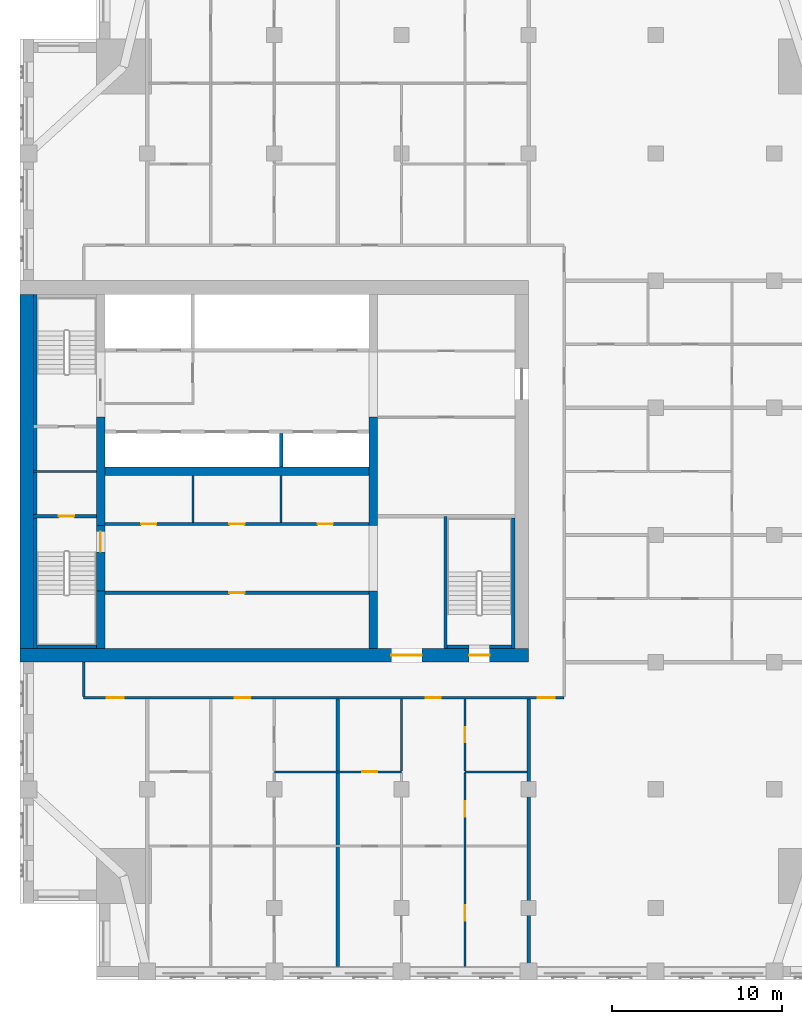
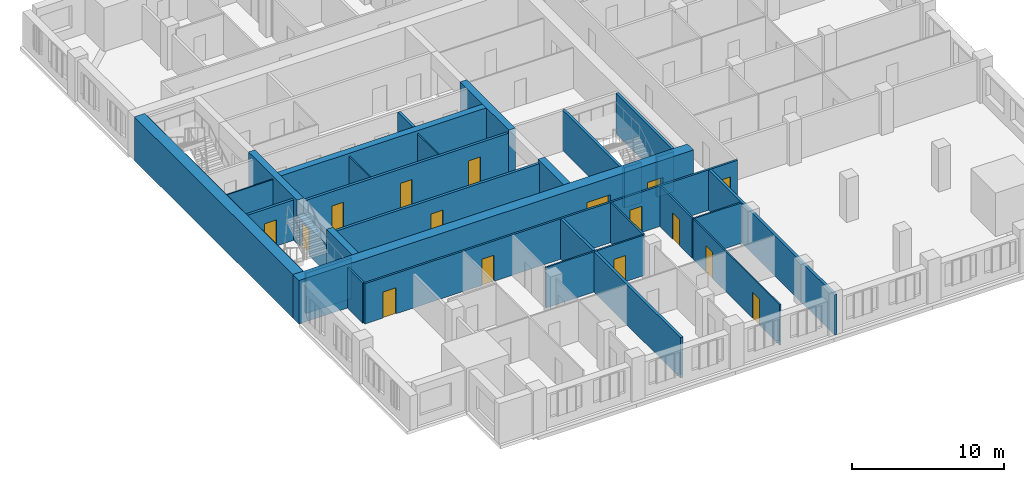
# One storey, part 7 of 14: 30 walls, 16 doors, 16 openings.
"""IFC4 building model written with IfcOpenShell, lengths in metres."""

from ifc_helpers import new_model, si_unit, direction, frame, frame_2d, origin, place, context, subcontext, project, spatial, rectangle, extrude, material, layer, layer_set, type_object, element, fill, save


model = new_model("IFC4")

# Units and contexts
model_context = context("Model", 3, precision=1e-05, world=origin(), true_north=direction((0.0, 1.0)))
body_context = subcontext(model_context, "Body", "Model", "MODEL_VIEW")
ifc_project = project(units=[si_unit("LENGTHUNIT", "METRE"), si_unit("AREAUNIT", "SQUARE_METRE"), si_unit("VOLUMEUNIT", "CUBIC_METRE"), si_unit("PLANEANGLEUNIT", "RADIAN"), si_unit("MASSUNIT", "GRAM", prefix="KILO")], contexts=[model_context])

# Site, building, storey
site_placement = place(None, origin())
site = spatial("IfcSite", under=ifc_project, at=site_placement, CompositionType="ELEMENT")
building_placement = place(site_placement, origin())
building = spatial("IfcBuilding", under=site, at=building_placement, Name="Tamorin Gate", CompositionType="ELEMENT")
storey_placement = place(building_placement, frame((0.0, 0.0, 196.699951171875)))
storey = spatial("IfcBuildingStorey", under=building, at=storey_placement, Name="L48", CompositionType="ELEMENT", Elevation=196.699951171875)

# Wall, openings, doors
ifc_material_1 = material(Name="Gypsum board partition")
ifc_layer_1 = layer(ifc_material_1, 0.14990234375)
ifc_layer_set_1 = layer_set([ifc_layer_1], Name="Corridor wall 150")
wall_type_1 = type_object("IfcWallType", Name="Corridor wall 150", PredefinedType="PARTITIONING", material=ifc_layer_set_1)
wall_1_placement = place(storey_placement, frame((33.75, 57.89990234375, 0.0), z_axis=(0.0, 0.0, 1.0), x_axis=(1.0, 0.0, 0.0)))
wall_1 = element("IfcWall", 1, at=wall_1_placement, inside=storey, type_object=wall_type_1, Name="Corridor wall 150", PredefinedType="PARTITIONING", context=body_context, shape_type="SweptSolid", body=[
    extrude(rectangle(XDim=28.35009765625, YDim=0.14990234375, at=frame_2d((14.175048828125, 0.0))), origin(), (0.0, 0.0, 1.0), 3.25),
])
opening_1_placement = place(wall_1_placement, frame((1.375, 0.0, 0.0)))
opening_1 = element("IfcOpeningElement", 2, at=opening_1_placement, cuts=wall_1, Name="Opening DR2001", PredefinedType="OPENING", context=body_context, shape_type="SweptSolid", body=[
    extrude(rectangle(XDim=1.0, YDim=2.10009765625, at=frame_2d((0.5, 1.050048828125))), frame((0.0, 0.0849609375, 0.0), z_axis=(0.0, -1.0, 0.0), x_axis=(1.0, 0.0, 0.0)), (0.0, 0.0, 1.0), 0.169921875),
])
opening_2_placement = place(wall_1_placement, frame((8.925048828125, 0.0, 0.0)))
opening_2 = element("IfcOpeningElement", 3, at=opening_2_placement, cuts=wall_1, Name="Opening DR2004", PredefinedType="OPENING", context=body_context, shape_type="SweptSolid", body=[
    extrude(rectangle(XDim=0.89990234375, YDim=2.10009765625, at=frame_2d((0.449951171875, 1.050048828125))), frame((0.0, 0.0849609375, 0.0), z_axis=(0.0, -1.0, 0.0), x_axis=(1.0, 0.0, 0.0)), (0.0, 0.0, 1.0), 0.169921875),
])
opening_3_placement = place(wall_1_placement, frame((20.175048828125, 0.0, 0.0)))
opening_3 = element("IfcOpeningElement", 4, at=opening_3_placement, cuts=wall_1, Name="Opening DR2012", PredefinedType="OPENING", context=body_context, shape_type="SweptSolid", body=[
    extrude(rectangle(XDim=0.89990234375, YDim=2.10009765625, at=frame_2d((0.449951171875, 1.050048828125))), frame((0.0, 0.0849609375, 0.0), z_axis=(0.0, -1.0, 0.0), x_axis=(1.0, 0.0, 0.0)), (0.0, 0.0, 1.0), 0.169921875),
])
opening_4_placement = place(wall_1_placement, frame((26.800048828125, 0.0, 0.0)))
opening_4 = element("IfcOpeningElement", 5, at=opening_4_placement, cuts=wall_1, Name="Opening DR2018", PredefinedType="OPENING", context=body_context, shape_type="SweptSolid", body=[
    extrude(rectangle(XDim=1.0, YDim=2.10009765625, at=frame_2d((0.5, 1.050048828125))), frame((0.0, 0.0849609375, 0.0), z_axis=(0.0, -1.0, 0.0), x_axis=(1.0, 0.0, 0.0)), (0.0, 0.0, 1.0), 0.169921875),
])
ifc_material_2 = material(Name="Timber door leaf", Category="wood")
door_type_1 = type_object("IfcDoorType", Name="Door 1000 x 2100 FD30S", OperationType="NOTDEFINED", PredefinedType="DOOR", material=ifc_material_2)
door_1_placement = place(opening_1_placement, origin())
door_1 = element("IfcDoor", 6, at=door_1_placement, inside=storey, type_object=door_type_1, Name="Door DR2001", OperationType="SINGLE_SWING_RIGHT", OverallHeight=2.10009765625, OverallWidth=1.0, PredefinedType="DOOR", context=body_context, shape_type="SweptSolid", body=[
    extrude(rectangle(XDim=1.0, YDim=2.10009765625, at=frame_2d((0.5, 1.050048828125))), frame((0.0, 0.02490234375, 0.0), z_axis=(0.0, -1.0, 0.0), x_axis=(1.0, 0.0, 0.0)), (0.0, 0.0, 1.0), 0.050048828125),
])
fill(opening_1, door_1)
door_2_placement = place(opening_4_placement, origin())
door_2 = element("IfcDoor", 7, at=door_2_placement, inside=storey, type_object=door_type_1, Name="Door DR2018", OperationType="SINGLE_SWING_RIGHT", OverallHeight=2.10009765625, OverallWidth=1.0, PredefinedType="DOOR", context=body_context, shape_type="SweptSolid", body=[
    extrude(rectangle(XDim=1.0, YDim=2.10009765625, at=frame_2d((0.5, 1.050048828125))), frame((0.0, 0.02490234375, 0.0), z_axis=(0.0, -1.0, 0.0), x_axis=(1.0, 0.0, 0.0)), (0.0, 0.0, 1.0), 0.050048828125),
])
fill(opening_4, door_2)
door_type_2 = type_object("IfcDoorType", Name="Door 900 x 2100 FD30S", OperationType="NOTDEFINED", PredefinedType="DOOR", material=ifc_material_2)
door_3_placement = place(opening_2_placement, origin())
door_3 = element("IfcDoor", 8, at=door_3_placement, inside=storey, type_object=door_type_2, Name="Door DR2004", OperationType="SINGLE_SWING_RIGHT", OverallHeight=2.10009765625, OverallWidth=0.89990234375, PredefinedType="DOOR", context=body_context, shape_type="SweptSolid", body=[
    extrude(rectangle(XDim=0.89990234375, YDim=2.10009765625, at=frame_2d((0.449951171875, 1.050048828125))), frame((0.0, 0.02490234375, 0.0), z_axis=(0.0, -1.0, 0.0), x_axis=(1.0, 0.0, 0.0)), (0.0, 0.0, 1.0), 0.050048828125),
])
fill(opening_2, door_3)
door_4_placement = place(opening_3_placement, origin())
door_4 = element("IfcDoor", 9, at=door_4_placement, inside=storey, type_object=door_type_2, Name="Door DR2012", OperationType="SINGLE_SWING_RIGHT", OverallHeight=2.10009765625, OverallWidth=0.89990234375, PredefinedType="DOOR", context=body_context, shape_type="SweptSolid", body=[
    extrude(rectangle(XDim=0.89990234375, YDim=2.10009765625, at=frame_2d((0.449951171875, 1.050048828125))), frame((0.0, 0.02490234375, 0.0), z_axis=(0.0, -1.0, 0.0), x_axis=(1.0, 0.0, 0.0)), (0.0, 0.0, 1.0), 0.050048828125),
])
fill(opening_3, door_4)

# Walls
wall_2_placement = place(storey_placement, frame((33.75, 57.97509765625, 0.0), z_axis=(0.0, 0.0, 1.0), x_axis=(0.0, 1.0, 0.0)))
element("IfcWall", 10, at=wall_2_placement, inside=storey, type_object=wall_type_1, Name="Corridor wall 150", PredefinedType="PARTITIONING", context=body_context, shape_type="SweptSolid", body=[
    extrude(rectangle(XDim=2.02490234375, YDim=0.14990234375, at=frame_2d((1.012451171875, 0.0))), origin(), (0.0, 0.0, 1.0), 3.25),
])
ifc_layer_2 = layer(ifc_material_1, 0.199951171875)
ifc_layer_set_2 = layer_set([ifc_layer_2], Name="Demising wall 200")
wall_type_2 = type_object("IfcWallType", Name="Demising wall 200", PredefinedType="PARTITIONING", material=ifc_layer_set_2)
wall_3_placement = place(storey_placement, frame((48.75, 42.06005859375, 0.0), z_axis=(0.0, 0.0, 1.0), x_axis=(0.0, 1.0, 0.0)))
element("IfcWall", 11, at=wall_3_placement, inside=storey, type_object=wall_type_2, Name="Demising wall 200", PredefinedType="PARTITIONING", context=body_context, shape_type="SweptSolid", body=[
    extrude(rectangle(XDim=15.764892578125, YDim=0.199951171875, at=frame_2d((7.88232421875, 0.0))), origin(), (0.0, 0.0, 1.0), 3.25),
])
wall_4_placement = place(storey_placement, frame((60.0, 41.25, 0.0), z_axis=(0.0, 0.0, 1.0), x_axis=(0.0, 1.0, 0.0)))
element("IfcWall", 12, at=wall_4_placement, inside=storey, type_object=wall_type_2, Name="Demising wall 200", PredefinedType="PARTITIONING", context=body_context, shape_type="SweptSolid", body=[
    extrude(rectangle(XDim=16.574951171875, YDim=0.199951171875, at=frame_2d((8.28759765625, 0.0))), origin(), (0.0, 0.0, 1.0), 3.25),
])
ifc_material_3 = material(Name="Concrete C32/40", Category="concrete")
ifc_layer_3 = layer(ifc_material_3, 0.199951171875)
ifc_layer_set_3 = layer_set([ifc_layer_3], Name="Lift shaft wall 200 EI 120")
wall_type_3 = type_object("IfcWallType", Name="Lift shaft wall 200 EI 120", PredefinedType="SOLIDWALL", material=ifc_layer_set_3)
wall_5_placement = place(storey_placement, frame((45.39990234375, 71.5, 0.0), z_axis=(0.0, 0.0, 1.0), x_axis=(0.0, 1.0, 0.0)))
element("IfcWall", 13, at=wall_5_placement, inside=storey, type_object=wall_type_3, Name="Lift shaft wall", PredefinedType="SOLIDWALL", context=body_context, shape_type="SweptSolid", body=[
    extrude(rectangle(XDim=2.0, YDim=0.199951171875, at=frame_2d((1.0, 0.0))), origin(), (0.0, 0.0, 1.0), 3.5),
])
ifc_material_4 = material(Name="Concrete C60/75", Category="concrete")
ifc_layer_4 = layer(ifc_material_4, 0.5)
ifc_layer_set_4 = layer_set([ifc_layer_4], Name="RC core internal wall 500 C60/75")
wall_type_4 = type_object("IfcWallType", Name="RC core internal wall 500 C60/75", PredefinedType="SHEAR", material=ifc_layer_set_4)
wall_6_placement = place(storey_placement, frame((35.0, 71.25, 0.0), z_axis=(0.0, 0.0, 1.0), x_axis=(1.0, 0.0, 0.0)))
element("IfcWall", 14, at=wall_6_placement, inside=storey, type_object=wall_type_4, Name="Core spine wall L48", PredefinedType="SHEAR", context=body_context, shape_type="SweptSolid", body=[
    extrude(rectangle(XDim=15.60009765625, YDim=0.5, at=frame_2d((7.800048828125, 0.0))), origin(), (0.0, 0.0, 1.0), 3.5),
])
wall_7_placement = place(storey_placement, frame((34.75, 60.800048828125, 0.0), z_axis=(0.0, 0.0, 1.0), x_axis=(0.0, 1.0, 0.0)))
element("IfcWall", 15, at=wall_7_placement, inside=storey, type_object=wall_type_4, Name="Core cross wall L48", PredefinedType="SHEAR", context=body_context, shape_type="SweptSolid", body=[
    extrude(rectangle(XDim=3.39990234375, YDim=0.5, at=frame_2d((1.699951171875, 0.0))), origin(), (0.0, 0.0, 1.0), 3.5),
])
wall_8_placement = place(storey_placement, frame((34.75, 68.050048828125, 0.0), z_axis=(0.0, 0.0, 1.0), x_axis=(0.0, 1.0, 0.0)))
element("IfcWall", 16, at=wall_8_placement, inside=storey, type_object=wall_type_4, Name="Core cross wall L48", PredefinedType="SHEAR", context=body_context, shape_type="SweptSolid", body=[
    extrude(rectangle(XDim=6.39990234375, YDim=0.5, at=frame_2d((3.199951171875, 0.0))), origin(), (0.0, 0.0, 1.0), 3.5),
])
wall_9_placement = place(storey_placement, frame((50.85009765625, 60.800048828125, 0.0), z_axis=(0.0, 0.0, 1.0), x_axis=(0.0, 1.0, 0.0)))
element("IfcWall", 17, at=wall_9_placement, inside=storey, type_object=wall_type_4, Name="Core cross wall L48", PredefinedType="SHEAR", context=body_context, shape_type="SweptSolid", body=[
    extrude(rectangle(XDim=3.39990234375, YDim=0.5, at=frame_2d((1.699951171875, 0.0))), origin(), (0.0, 0.0, 1.0), 3.5),
])
wall_10_placement = place(storey_placement, frame((50.85009765625, 68.050048828125, 0.0), z_axis=(0.0, 0.0, 1.0), x_axis=(0.0, 1.0, 0.0)))
element("IfcWall", 18, at=wall_10_placement, inside=storey, type_object=wall_type_4, Name="Core cross wall L48", PredefinedType="SHEAR", context=body_context, shape_type="SweptSolid", body=[
    extrude(rectangle(XDim=6.39990234375, YDim=0.5, at=frame_2d((3.199951171875, 0.0))), origin(), (0.0, 0.0, 1.0), 3.5),
])

# Wall, openings, doors
ifc_layer_5 = layer(ifc_material_4, 0.800048828125)
ifc_layer_set_5 = layer_set([ifc_layer_5], Name="RC core wall 800 C60/75")
wall_type_5 = type_object("IfcWallType", Name="RC core wall 800 C60/75", PredefinedType="SHEAR", material=ifc_layer_set_5)
wall_11_placement = place(storey_placement, frame((30.0, 60.39990234375, 0.0), z_axis=(0.0, 0.0, 1.0), x_axis=(1.0, 0.0, 0.0)))
wall_11 = element("IfcWall", 19, at=wall_11_placement, inside=storey, type_object=wall_type_5, Name="Core wall L48", PredefinedType="SHEAR", context=body_context, shape_type="SweptSolid", body=[
    extrude(rectangle(XDim=30.0, YDim=0.800048828125, at=frame_2d((15.0, 0.0))), origin(), (0.0, 0.0, 1.0), 3.5),
])
opening_5_placement = place(wall_11_placement, frame((21.89990234375, 0.0, 0.0)))
opening_5 = element("IfcOpeningElement", 20, at=opening_5_placement, cuts=wall_11, Name="Opening DE1", PredefinedType="OPENING", context=body_context, shape_type="SweptSolid", body=[
    extrude(rectangle(XDim=1.800048828125, YDim=2.10009765625, at=frame_2d((0.89990234375, 1.050048828125))), frame((0.0, 0.409912109375, 0.0), z_axis=(0.0, -1.0, 0.0), x_axis=(1.0, 0.0, 0.0)), (0.0, 0.0, 1.0), 0.820068359375),
])
opening_6_placement = place(wall_11_placement, frame((26.5, 0.0, 0.0)))
opening_6 = element("IfcOpeningElement", 21, at=opening_6_placement, cuts=wall_11, Name="Opening DS1", PredefinedType="OPENING", context=body_context, shape_type="SweptSolid", body=[
    extrude(rectangle(XDim=1.199951171875, YDim=2.10009765625, at=frame_2d((0.60009765625, 1.050048828125))), frame((0.0, 0.409912109375, 0.0), z_axis=(0.0, -1.0, 0.0), x_axis=(1.0, 0.0, 0.0)), (0.0, 0.0, 1.0), 0.820068359375),
])
ifc_material_5 = material(Name="Steel fire door", Category="steel")
door_type_3 = type_object("IfcDoorType", Name="Lobby exit double door 1800 x 2100 EI 60", OperationType="DOUBLE_DOOR_SINGLE_SWING", PredefinedType="DOOR", material=ifc_material_5)
door_5_placement = place(opening_5_placement, origin())
door_5 = element("IfcDoor", 22, at=door_5_placement, inside=storey, type_object=door_type_3, Name="Lift lobby A exit door", OperationType="DOUBLE_DOOR_SINGLE_SWING", OverallHeight=2.10009765625, OverallWidth=1.800048828125, PredefinedType="DOOR", context=body_context, shape_type="SweptSolid", body=[
    extrude(rectangle(XDim=1.800048828125, YDim=2.10009765625, at=frame_2d((0.89990234375, 1.050048828125))), frame((0.0, 0.02490234375, 0.0), z_axis=(0.0, -1.0, 0.0), x_axis=(1.0, 0.0, 0.0)), (0.0, 0.0, 1.0), 0.050048828125),
])
fill(opening_5, door_5)
door_type_4 = type_object("IfcDoorType", Name="Stair door 1200 x 2100 EI 90", OperationType="SINGLE_SWING_LEFT", PredefinedType="DOOR", material=ifc_material_5)
door_6_placement = place(opening_6_placement, origin())
door_6 = element("IfcDoor", 23, at=door_6_placement, inside=storey, type_object=door_type_4, Name="ST3 door", OperationType="SINGLE_SWING_LEFT", OverallHeight=2.10009765625, OverallWidth=1.199951171875, PredefinedType="DOOR", context=body_context, shape_type="SweptSolid", body=[
    extrude(rectangle(XDim=1.199951171875, YDim=2.10009765625, at=frame_2d((0.60009765625, 1.050048828125))), frame((0.0, 0.02490234375, 0.0), z_axis=(0.0, -1.0, 0.0), x_axis=(1.0, 0.0, 0.0)), (0.0, 0.0, 1.0), 0.050048828125),
])
fill(opening_6, door_6)

# Walls
wall_12_placement = place(storey_placement, frame((30.39990234375, 60.800048828125, 0.0), z_axis=(0.0, 0.0, 1.0), x_axis=(0.0, 1.0, 0.0)))
element("IfcWall", 24, at=wall_12_placement, inside=storey, type_object=wall_type_5, Name="Core wall L48", PredefinedType="SHEAR", context=body_context, shape_type="SweptSolid", body=[
    extrude(rectangle(XDim=20.89990234375, YDim=0.800048828125, at=frame_2d((10.449951171875, 0.0))), origin(), (0.0, 0.0, 1.0), 3.5),
])
ifc_material_6 = material(Name="Fire-rated gypsum board partition")
ifc_layer_6 = layer(ifc_material_6, 0.10009765625)
ifc_layer_set_6 = layer_set([ifc_layer_6], Name="Riser partition 100 EI 120")
wall_type_6 = type_object("IfcWallType", Name="Riser partition 100 EI 120", PredefinedType="PARTITIONING", material=ifc_layer_set_6)
wall_13_placement = place(storey_placement, frame((30.800048828125, 71.25, 0.0), z_axis=(0.0, 0.0, 1.0), x_axis=(1.0, 0.0, 0.0)))
element("IfcWall", 25, at=wall_13_placement, inside=storey, type_object=wall_type_6, Name="Riser partition", PredefinedType="PARTITIONING", context=body_context, shape_type="SweptSolid", body=[
    extrude(rectangle(XDim=3.699951171875, YDim=0.10009765625, at=frame_2d((1.85009765625, 0.0))), origin(), (0.0, 0.0, 1.0), 3.25),
])

# Wall, openings, doors
ifc_layer_7 = layer(ifc_material_1, 0.10009765625)
ifc_layer_set_7 = layer_set([ifc_layer_7], Name="Room partition 100")
wall_type_7 = type_object("IfcWallType", Name="Room partition 100", PredefinedType="PARTITIONING", material=ifc_layer_set_7)
wall_14_placement = place(storey_placement, frame((56.25, 42.06005859375, 0.0), z_axis=(0.0, 0.0, 1.0), x_axis=(0.0, 1.0, 0.0)))
wall_14 = element("IfcWall", 26, at=wall_14_placement, inside=storey, type_object=wall_type_7, Name="Room partition 100", PredefinedType="PARTITIONING", context=body_context, shape_type="SweptSolid", body=[
    extrude(rectangle(XDim=11.40234375, YDim=0.10009765625, at=frame_2d((5.701171875, 0.0))), origin(), (0.0, 0.0, 1.0), 3.25),
])
opening_7_placement = place(wall_14_placement, frame((8.827392578125, 0.0, 0.0)))
opening_7 = element("IfcOpeningElement", 27, at=opening_7_placement, cuts=wall_14, Name="Opening DR2014", PredefinedType="OPENING", context=body_context, shape_type="SweptSolid", body=[
    extrude(rectangle(XDim=0.89990234375, YDim=2.10009765625, at=frame_2d((0.449951171875, 1.050048828125))), frame((0.0, 0.06005859375, 0.0), z_axis=(0.0, -1.0, 0.0), x_axis=(1.0, 0.0, 0.0)), (0.0, 0.0, 1.0), 0.1201171875),
])
opening_8_placement = place(wall_14_placement, frame((2.68994140625, 0.0, 0.0)))
opening_8 = element("IfcOpeningElement", 28, at=opening_8_placement, cuts=wall_14, Name="Opening DR2017", PredefinedType="OPENING", context=body_context, shape_type="SweptSolid", body=[
    extrude(rectangle(XDim=0.89990234375, YDim=2.10009765625, at=frame_2d((0.449951171875, 1.050048828125))), frame((0.0, 0.06005859375, 0.0), z_axis=(0.0, -1.0, 0.0), x_axis=(1.0, 0.0, 0.0)), (0.0, 0.0, 1.0), 0.1201171875),
])
door_type_5 = type_object("IfcDoorType", Name="Door 900 x 2100", OperationType="NOTDEFINED", PredefinedType="DOOR", material=ifc_material_2)
door_7_placement = place(opening_7_placement, origin())
door_7 = element("IfcDoor", 29, at=door_7_placement, inside=storey, type_object=door_type_5, Name="Door DR2014", OperationType="SINGLE_SWING_RIGHT", OverallHeight=2.10009765625, OverallWidth=0.89990234375, PredefinedType="DOOR", context=body_context, shape_type="SweptSolid", body=[
    extrude(rectangle(XDim=0.89990234375, YDim=2.10009765625, at=frame_2d((0.449951171875, 1.050048828125))), frame((0.0, 0.02490234375, 0.0), z_axis=(0.0, -1.0, 0.0), x_axis=(1.0, 0.0, 0.0)), (0.0, 0.0, 1.0), 0.050048828125),
])
fill(opening_7, door_7)
door_8_placement = place(opening_8_placement, origin())
door_8 = element("IfcDoor", 30, at=door_8_placement, inside=storey, type_object=door_type_5, Name="Door DR2017", OperationType="SINGLE_SWING_LEFT", OverallHeight=2.10009765625, OverallWidth=0.89990234375, PredefinedType="DOOR", context=body_context, shape_type="SweptSolid", body=[
    extrude(rectangle(XDim=0.89990234375, YDim=2.10009765625, at=frame_2d((0.449951171875, 1.050048828125))), frame((0.0, 0.02490234375, 0.0), z_axis=(0.0, -1.0, 0.0), x_axis=(1.0, 0.0, 0.0)), (0.0, 0.0, 1.0), 0.050048828125),
])
fill(opening_8, door_8)

# Wall, opening, door
ifc_layer_8 = layer(ifc_material_1, 0.199951171875)
ifc_layer_set_8 = layer_set([ifc_layer_8], Name="Service room face wall 200 EI 60")
wall_type_8 = type_object("IfcWallType", Name="Service room face wall 200 EI 60", PredefinedType="PARTITIONING", material=ifc_layer_set_8)
wall_15_placement = place(storey_placement, frame((35.0, 64.10009765625, 0.0), z_axis=(0.0, 0.0, 1.0), x_axis=(1.0, 0.0, 0.0)))
wall_15 = element("IfcWall", 31, at=wall_15_placement, inside=storey, type_object=wall_type_8, Name="Service room face wall", PredefinedType="PARTITIONING", context=body_context, shape_type="SweptSolid", body=[
    extrude(rectangle(XDim=15.60009765625, YDim=0.199951171875, at=frame_2d((7.800048828125, 0.0))), origin(), (0.0, 0.0, 1.0), 3.25),
])
opening_9_placement = place(wall_15_placement, frame((7.35009765625, 0.0, 0.0)))
opening_9 = element("IfcOpeningElement", 32, at=opening_9_placement, cuts=wall_15, Name="Opening DK1", PredefinedType="OPENING", context=body_context, shape_type="SweptSolid", body=[
    extrude(rectangle(XDim=0.89990234375, YDim=2.10009765625, at=frame_2d((0.449951171875, 1.050048828125))), frame((0.0, 0.10986328125, 0.0), z_axis=(0.0, -1.0, 0.0), x_axis=(1.0, 0.0, 0.0)), (0.0, 0.0, 1.0), 0.219970703125),
])
ifc_material_7 = material(Name="Timber fire door", Category="wood")
door_type_6 = type_object("IfcDoorType", Name="Service room door 900 x 2100 EI 60", OperationType="SINGLE_SWING_LEFT", PredefinedType="DOOR", material=ifc_material_7)
door_9_placement = place(opening_9_placement, origin())
door_9 = element("IfcDoor", 33, at=door_9_placement, inside=storey, type_object=door_type_6, Name="Door Resident storage room", OperationType="SINGLE_SWING_RIGHT", OverallHeight=2.10009765625, OverallWidth=0.89990234375, PredefinedType="DOOR", context=body_context, shape_type="SweptSolid", body=[
    extrude(rectangle(XDim=0.89990234375, YDim=2.10009765625, at=frame_2d((0.449951171875, 1.050048828125))), frame((0.0, 0.02490234375, 0.0), z_axis=(0.0, -1.0, 0.0), x_axis=(1.0, 0.0, 0.0)), (0.0, 0.0, 1.0), 0.050048828125),
])
fill(opening_9, door_9)

# Wall, openings, doors
wall_16_placement = place(storey_placement, frame((35.0, 68.14990234375, 0.0), z_axis=(0.0, 0.0, 1.0), x_axis=(1.0, 0.0, 0.0)))
wall_16 = element("IfcWall", 34, at=wall_16_placement, inside=storey, type_object=wall_type_8, Name="Service room face wall", PredefinedType="PARTITIONING", context=body_context, shape_type="SweptSolid", body=[
    extrude(rectangle(XDim=15.60009765625, YDim=0.199951171875, at=frame_2d((7.800048828125, 0.0))), origin(), (0.0, 0.0, 1.0), 3.25),
])
opening_10_placement = place(wall_16_placement, frame((2.14990234375, 0.0, 0.0)))
opening_10 = element("IfcOpeningElement", 35, at=opening_10_placement, cuts=wall_16, Name="Opening DK1", PredefinedType="OPENING", context=body_context, shape_type="SweptSolid", body=[
    extrude(rectangle(XDim=0.89990234375, YDim=2.10009765625, at=frame_2d((0.449951171875, 1.050048828125))), frame((0.0, 0.10986328125, 0.0), z_axis=(0.0, -1.0, 0.0), x_axis=(1.0, 0.0, 0.0)), (0.0, 0.0, 1.0), 0.219970703125),
])
opening_11_placement = place(wall_16_placement, frame((7.35009765625, 0.0, 0.0)))
opening_11 = element("IfcOpeningElement", 36, at=opening_11_placement, cuts=wall_16, Name="Opening DK1", PredefinedType="OPENING", context=body_context, shape_type="SweptSolid", body=[
    extrude(rectangle(XDim=0.89990234375, YDim=2.10009765625, at=frame_2d((0.449951171875, 1.050048828125))), frame((0.0, 0.10986328125, 0.0), z_axis=(0.0, -1.0, 0.0), x_axis=(1.0, 0.0, 0.0)), (0.0, 0.0, 1.0), 0.219970703125),
])
opening_12_placement = place(wall_16_placement, frame((12.550048828125, 0.0, 0.0)))
opening_12 = element("IfcOpeningElement", 37, at=opening_12_placement, cuts=wall_16, Name="Opening DK1", PredefinedType="OPENING", context=body_context, shape_type="SweptSolid", body=[
    extrude(rectangle(XDim=0.89990234375, YDim=2.10009765625, at=frame_2d((0.449951171875, 1.050048828125))), frame((0.0, 0.10986328125, 0.0), z_axis=(0.0, -1.0, 0.0), x_axis=(1.0, 0.0, 0.0)), (0.0, 0.0, 1.0), 0.219970703125),
])
door_10_placement = place(opening_10_placement, origin())
door_10 = element("IfcDoor", 38, at=door_10_placement, inside=storey, type_object=door_type_6, Name="Door Cleaner's store", OperationType="SINGLE_SWING_RIGHT", OverallHeight=2.10009765625, OverallWidth=0.89990234375, PredefinedType="DOOR", context=body_context, shape_type="SweptSolid", body=[
    extrude(rectangle(XDim=0.89990234375, YDim=2.10009765625, at=frame_2d((0.449951171875, 1.050048828125))), frame((0.0, 0.02490234375, 0.0), z_axis=(0.0, -1.0, 0.0), x_axis=(1.0, 0.0, 0.0)), (0.0, 0.0, 1.0), 0.050048828125),
])
fill(opening_10, door_10)
door_11_placement = place(opening_11_placement, origin())
door_11 = element("IfcDoor", 39, at=door_11_placement, inside=storey, type_object=door_type_6, Name="Door Pantry", OperationType="SINGLE_SWING_LEFT", OverallHeight=2.10009765625, OverallWidth=0.89990234375, PredefinedType="DOOR", context=body_context, shape_type="SweptSolid", body=[
    extrude(rectangle(XDim=0.89990234375, YDim=2.10009765625, at=frame_2d((0.449951171875, 1.050048828125))), frame((0.0, 0.02490234375, 0.0), z_axis=(0.0, -1.0, 0.0), x_axis=(1.0, 0.0, 0.0)), (0.0, 0.0, 1.0), 0.050048828125),
])
fill(opening_11, door_11)
door_12_placement = place(opening_12_placement, origin())
door_12 = element("IfcDoor", 40, at=door_12_placement, inside=storey, type_object=door_type_6, Name="Door IT room", OperationType="SINGLE_SWING_RIGHT", OverallHeight=2.10009765625, OverallWidth=0.89990234375, PredefinedType="DOOR", context=body_context, shape_type="SweptSolid", body=[
    extrude(rectangle(XDim=0.89990234375, YDim=2.10009765625, at=frame_2d((0.449951171875, 1.050048828125))), frame((0.0, 0.02490234375, 0.0), z_axis=(0.0, -1.0, 0.0), x_axis=(1.0, 0.0, 0.0)), (0.0, 0.0, 1.0), 0.050048828125),
])
fill(opening_12, door_12)

# Walls
ifc_layer_9 = layer(ifc_material_1, 0.10009765625)
ifc_layer_set_9 = layer_set([ifc_layer_9], Name="Service room partition 100 EI 60")
wall_type_9 = type_object("IfcWallType", Name="Service room partition 100 EI 60", PredefinedType="PARTITIONING", material=ifc_layer_set_9)
for number, where, z_axis, x_axis, name in (
    (41, (40.199951171875, 68.25, 0.0), (0.0, 0.0, 1.0), (0.0, 1.0, 0.0), "Service room partition"),
    (42, (45.39990234375, 68.25, 0.0), (0.0, 0.0, 1.0), (0.0, 1.0, 0.0), "Service room partition"),
):
    element("IfcWall", number, at=place(storey_placement, frame(where, z_axis=z_axis, x_axis=x_axis)), inside=storey, type_object=wall_type_9, Name=name, PredefinedType="PARTITIONING", context=body_context, shape_type="SweptSolid", body=[
        extrude(rectangle(XDim=2.75, YDim=0.10009765625, at=frame_2d((1.375, 0.0))), origin(), (0.0, 0.0, 1.0), 3.25),
    ])

# Wall, opening, door
ifc_material_8 = material(Name="Concrete C40/50", Category="concrete")
ifc_layer_10 = layer(ifc_material_8, 0.199951171875)
ifc_layer_set_10 = layer_set([ifc_layer_10], Name="Stair enclosure wall 200 EI 120 C40/50")
wall_type_10 = type_object("IfcWallType", Name="Stair enclosure wall 200 EI 120 C40/50", PredefinedType="SOLIDWALL", material=ifc_layer_set_10)
wall_17_placement = place(storey_placement, frame((30.800048828125, 68.60009765625, 0.0), z_axis=(0.0, 0.0, 1.0), x_axis=(1.0, 0.0, 0.0)))
wall_17 = element("IfcWall", 43, at=wall_17_placement, inside=storey, type_object=wall_type_10, Name="Stair enclosure wall", PredefinedType="SOLIDWALL", context=body_context, shape_type="SweptSolid", body=[
    extrude(rectangle(XDim=3.699951171875, YDim=0.199951171875, at=frame_2d((1.85009765625, 0.0))), origin(), (0.0, 0.0, 1.0), 3.25),
])
opening_13_placement = place(wall_17_placement, frame((1.5, 0.0, 0.0)))
opening_13 = element("IfcOpeningElement", 44, at=opening_13_placement, cuts=wall_17, Name="Opening DR1", PredefinedType="OPENING", context=body_context, shape_type="SweptSolid", body=[
    extrude(rectangle(XDim=0.89990234375, YDim=2.10009765625, at=frame_2d((0.449951171875, 1.050048828125))), frame((0.0, 0.10986328125, 0.0), z_axis=(0.0, -1.0, 0.0), x_axis=(1.0, 0.0, 0.0)), (0.0, 0.0, 1.0), 0.219970703125),
])
door_type_7 = type_object("IfcDoorType", Name="Riser access door 900 x 2100 EI 120", OperationType="SINGLE_SWING_LEFT", PredefinedType="DOOR", material=ifc_material_5)
door_13_placement = place(opening_13_placement, origin())
door_13 = element("IfcDoor", 45, at=door_13_placement, inside=storey, type_object=door_type_7, Name="Electrical riser door", OperationType="SINGLE_SWING_LEFT", OverallHeight=2.10009765625, OverallWidth=0.89990234375, PredefinedType="DOOR", context=body_context, shape_type="SweptSolid", body=[
    extrude(rectangle(XDim=0.89990234375, YDim=2.10009765625, at=frame_2d((0.449951171875, 1.050048828125))), frame((0.0, 0.02490234375, 0.0), z_axis=(0.0, -1.0, 0.0), x_axis=(1.0, 0.0, 0.0)), (0.0, 0.0, 1.0), 0.050048828125),
])
fill(opening_13, door_13)

# Walls
wall_18_placement = place(storey_placement, frame((55.10009765625, 60.800048828125, 0.0), z_axis=(0.0, 0.0, 1.0), x_axis=(0.0, 1.0, 0.0)))
element("IfcWall", 46, at=wall_18_placement, inside=storey, type_object=wall_type_10, Name="Stair enclosure wall", PredefinedType="SOLIDWALL", context=body_context, shape_type="SweptSolid", body=[
    extrude(rectangle(XDim=7.800048828125, YDim=0.199951171875, at=frame_2d((3.89990234375, 0.0))), origin(), (0.0, 0.0, 1.0), 3.25),
])
ifc_layer_11 = layer(ifc_material_4, 0.199951171875)
ifc_layer_set_11 = layer_set([ifc_layer_11], Name="Stair lining wall 200 EI 120 C60/75")
wall_type_11 = type_object("IfcWallType", Name="Stair lining wall 200 EI 120 C60/75", PredefinedType="SOLIDWALL", material=ifc_layer_set_11)
wall_19_placement = place(storey_placement, frame((30.89990234375, 60.800048828125, 0.0), z_axis=(0.0, 0.0, 1.0), x_axis=(0.0, 1.0, 0.0)))
element("IfcWall", 47, at=wall_19_placement, inside=storey, type_object=wall_type_11, Name="Stair lining wall", PredefinedType="SOLIDWALL", context=body_context, shape_type="SweptSolid", body=[
    extrude(rectangle(XDim=20.89990234375, YDim=0.199951171875, at=frame_2d((10.449951171875, 0.0))), origin(), (0.0, 0.0, 1.0), 3.25),
])
wall_20_placement = place(storey_placement, frame((31.0, 60.89990234375, 0.0), z_axis=(0.0, 0.0, 1.0), x_axis=(1.0, 0.0, 0.0)))
element("IfcWall", 48, at=wall_20_placement, inside=storey, type_object=wall_type_11, Name="Stair lining wall", PredefinedType="SOLIDWALL", context=body_context, shape_type="SweptSolid", body=[
    extrude(rectangle(XDim=3.5, YDim=0.199951171875, at=frame_2d((1.75, 0.0))), origin(), (0.0, 0.0, 1.0), 3.25),
])
for number, where, z_axis, x_axis, name in (
    (49, (55.199951171875, 60.89990234375, 0.0), (0.0, 0.0, 1.0), (1.0, 0.0, 0.0), "Stair lining wall"),
    (50, (57.699951171875, 60.89990234375, 0.0), (0.0, 0.0, 1.0), (1.0, 0.0, 0.0), "Stair lining wall"),
):
    element("IfcWall", number, at=place(storey_placement, frame(where, z_axis=z_axis, x_axis=x_axis)), inside=storey, type_object=wall_type_11, Name=name, PredefinedType="SOLIDWALL", context=body_context, shape_type="SweptSolid", body=[
        extrude(rectangle(XDim=1.300048828125, YDim=0.199951171875, at=frame_2d((0.64990234375, 0.0))), origin(), (0.0, 0.0, 1.0), 3.25),
    ])
wall_21_placement = place(storey_placement, frame((59.10009765625, 60.800048828125, 0.0), z_axis=(0.0, 0.0, 1.0), x_axis=(0.0, 1.0, 0.0)))
element("IfcWall", 51, at=wall_21_placement, inside=storey, type_object=wall_type_11, Name="Stair lining wall", PredefinedType="SOLIDWALL", context=body_context, shape_type="SweptSolid", body=[
    extrude(rectangle(XDim=7.699951171875, YDim=0.199951171875, at=frame_2d((3.85009765625, 0.0))), origin(), (0.0, 0.0, 1.0), 3.25),
])

# Wall, opening, door
ifc_layer_12 = layer(ifc_material_3, 0.5)
ifc_layer_set_12 = layer_set([ifc_layer_12], Name="Stair lobby infill wall 500 EI 120")
wall_type_12 = type_object("IfcWallType", Name="Stair lobby infill wall 500 EI 120", PredefinedType="SOLIDWALL", material=ifc_layer_set_12)
wall_22_placement = place(storey_placement, frame((34.75, 64.199951171875, 0.0), z_axis=(0.0, 0.0, 1.0), x_axis=(0.0, 1.0, 0.0)))
wall_22 = element("IfcWall", 52, at=wall_22_placement, inside=storey, type_object=wall_type_12, Name="Stair lobby infill wall", PredefinedType="SOLIDWALL", context=body_context, shape_type="SweptSolid", body=[
    extrude(rectangle(XDim=3.85009765625, YDim=0.5, at=frame_2d((1.925048828125, 0.0))), origin(), (0.0, 0.0, 1.0), 2.300048828125),
])
opening_14_placement = place(wall_22_placement, frame((2.300048828125, 0.0, 0.0)))
opening_14 = element("IfcOpeningElement", 53, at=opening_14_placement, cuts=wall_22, Name="Opening DS1", PredefinedType="OPENING", context=body_context, shape_type="SweptSolid", body=[
    extrude(rectangle(XDim=1.199951171875, YDim=2.10009765625, at=frame_2d((0.60009765625, 1.050048828125))), frame((0.0, 0.260009765625, 0.0), z_axis=(0.0, -1.0, 0.0), x_axis=(1.0, 0.0, 0.0)), (0.0, 0.0, 1.0), 0.52001953125),
])
door_14_placement = place(opening_14_placement, origin())
door_14 = element("IfcDoor", 54, at=door_14_placement, inside=storey, type_object=door_type_4, Name="ST1 door", OperationType="SINGLE_SWING_LEFT", OverallHeight=2.10009765625, OverallWidth=1.199951171875, PredefinedType="DOOR", context=body_context, shape_type="SweptSolid", body=[
    extrude(rectangle(XDim=1.199951171875, YDim=2.10009765625, at=frame_2d((0.60009765625, 1.050048828125))), frame((0.0, 0.02490234375, 0.0), z_axis=(0.0, -1.0, 0.0), x_axis=(1.0, 0.0, 0.0)), (0.0, 0.0, 1.0), 0.050048828125),
])
fill(opening_14, door_14)

ifc_layer_13 = layer(ifc_material_1, 0.125)
ifc_layer_set_13 = layer_set([ifc_layer_13], Name="Wet wall 125")
wall_type_13 = type_object("IfcWallType", Name="Wet wall 125", PredefinedType="PARTITIONING", material=ifc_layer_set_13)
wall_23_placement = place(storey_placement, frame((45.0, 53.52490234375, 0.0), z_axis=(0.0, 0.0, 1.0), x_axis=(1.0, 0.0, 0.0)))
wall_23 = element("IfcWall", 55, at=wall_23_placement, inside=storey, type_object=wall_type_13, Name="Wet wall 125", PredefinedType="PARTITIONING", context=body_context, shape_type="SweptSolid", body=[
    extrude(rectangle(XDim=7.5, YDim=0.125, at=frame_2d((3.75, 0.0))), origin(), (0.0, 0.0, 1.0), 3.25),
])
opening_15_placement = place(wall_23_placement, frame((5.175048828125, 0.0, 0.0)))
opening_15 = element("IfcOpeningElement", 56, at=opening_15_placement, cuts=wall_23, Name="Opening DR2011", PredefinedType="OPENING", context=body_context, shape_type="SweptSolid", body=[
    extrude(rectangle(XDim=0.89990234375, YDim=2.10009765625, at=frame_2d((0.449951171875, 1.050048828125))), frame((0.0, 0.072509765625, 0.0), z_axis=(0.0, -1.0, 0.0), x_axis=(1.0, 0.0, 0.0)), (0.0, 0.0, 1.0), 0.14501953125),
])
door_15_placement = place(opening_15_placement, origin())
door_15 = element("IfcDoor", 57, at=door_15_placement, inside=storey, type_object=door_type_5, Name="Door DR2011", OperationType="SINGLE_SWING_LEFT", OverallHeight=2.10009765625, OverallWidth=0.89990234375, PredefinedType="DOOR", context=body_context, shape_type="SweptSolid", body=[
    extrude(rectangle(XDim=0.89990234375, YDim=2.10009765625, at=frame_2d((0.449951171875, 1.050048828125))), frame((0.0, 0.02490234375, 0.0), z_axis=(0.0, -1.0, 0.0), x_axis=(1.0, 0.0, 0.0)), (0.0, 0.0, 1.0), 0.050048828125),
])
fill(opening_15, door_15)

# Walls
wall_24_placement = place(storey_placement, frame((56.25, 53.52490234375, 0.0), z_axis=(0.0, 0.0, 1.0), x_axis=(1.0, 0.0, 0.0)))
element("IfcWall", 58, at=wall_24_placement, inside=storey, type_object=wall_type_13, Name="Wet wall 125", PredefinedType="PARTITIONING", context=body_context, shape_type="SweptSolid", body=[
    extrude(rectangle(XDim=3.64990234375, YDim=0.125, at=frame_2d((1.824951171875, 0.0))), origin(), (0.0, 0.0, 1.0), 3.25),
])
wall_25_placement = place(storey_placement, frame((52.5, 53.58740234375, 0.0), z_axis=(0.0, 0.0, 1.0), x_axis=(0.0, 1.0, 0.0)))
element("IfcWall", 59, at=wall_25_placement, inside=storey, type_object=wall_type_13, Name="Wet wall 125", PredefinedType="PARTITIONING", context=body_context, shape_type="SweptSolid", body=[
    extrude(rectangle(XDim=4.237548828125, YDim=0.125, at=frame_2d((2.11865234375, 0.0))), origin(), (0.0, 0.0, 1.0), 3.25),
])

# Wall, opening, door
wall_26_placement = place(storey_placement, frame((56.25, 53.58740234375, 0.0), z_axis=(0.0, 0.0, 1.0), x_axis=(0.0, 1.0, 0.0)))
wall_26 = element("IfcWall", 60, at=wall_26_placement, inside=storey, type_object=wall_type_13, Name="Wet wall 125", PredefinedType="PARTITIONING", context=body_context, shape_type="SweptSolid", body=[
    extrude(rectangle(XDim=4.237548828125, YDim=0.125, at=frame_2d((2.11865234375, 0.0))), origin(), (0.0, 0.0, 1.0), 3.25),
])
opening_16_placement = place(wall_26_placement, frame((1.675048828125, 0.0, 0.0)))
opening_16 = element("IfcOpeningElement", 61, at=opening_16_placement, cuts=wall_26, Name="Opening DR2015", PredefinedType="OPENING", context=body_context, shape_type="SweptSolid", body=[
    extrude(rectangle(XDim=0.89990234375, YDim=2.10009765625, at=frame_2d((0.449951171875, 1.050048828125))), frame((0.0, 0.072509765625, 0.0), z_axis=(0.0, -1.0, 0.0), x_axis=(1.0, 0.0, 0.0)), (0.0, 0.0, 1.0), 0.14501953125),
])
door_16_placement = place(opening_16_placement, origin())
door_16 = element("IfcDoor", 62, at=door_16_placement, inside=storey, type_object=door_type_5, Name="Door DR2015", OperationType="SINGLE_SWING_RIGHT", OverallHeight=2.10009765625, OverallWidth=0.89990234375, PredefinedType="DOOR", context=body_context, shape_type="SweptSolid", body=[
    extrude(rectangle(XDim=0.89990234375, YDim=2.10009765625, at=frame_2d((0.449951171875, 1.050048828125))), frame((0.0, 0.02490234375, 0.0), z_axis=(0.0, -1.0, 0.0), x_axis=(1.0, 0.0, 0.0)), (0.0, 0.0, 1.0), 0.050048828125),
])
fill(opening_16, door_16)

save(model, "model.ifc")
